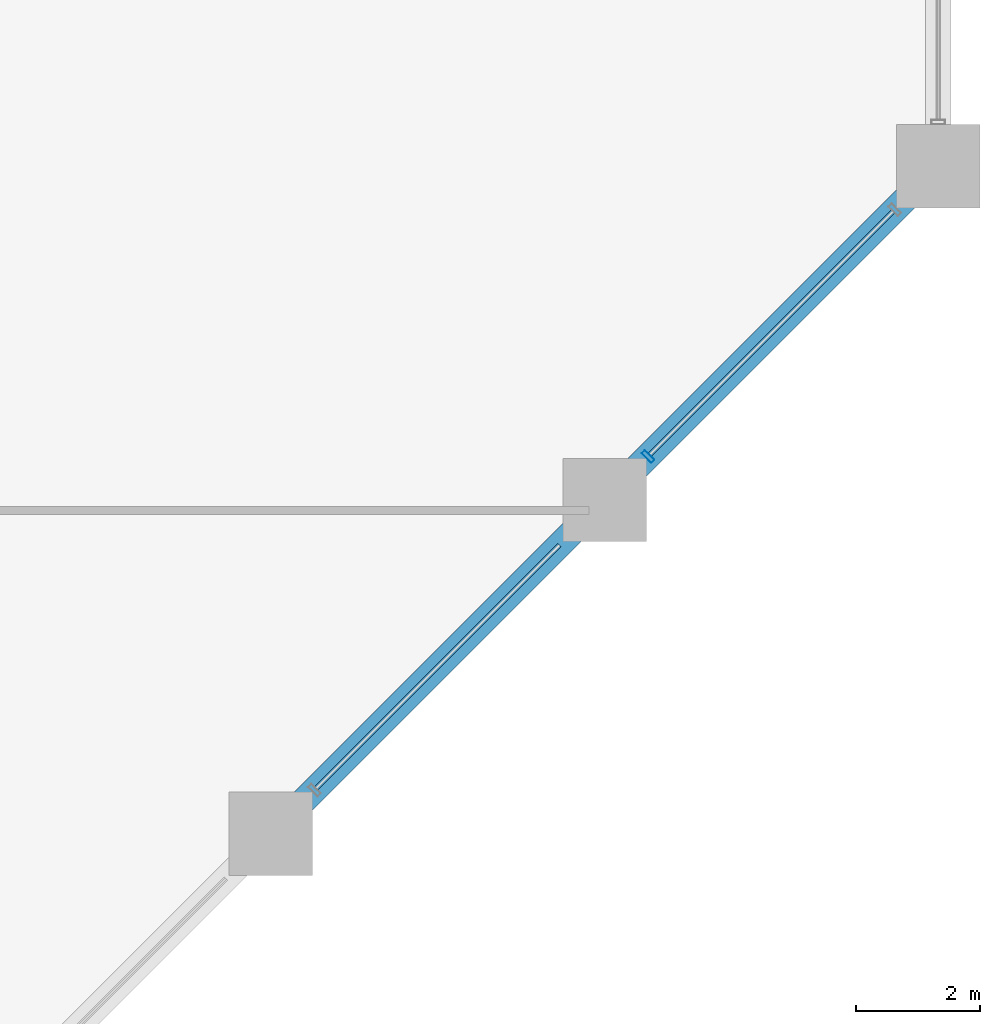
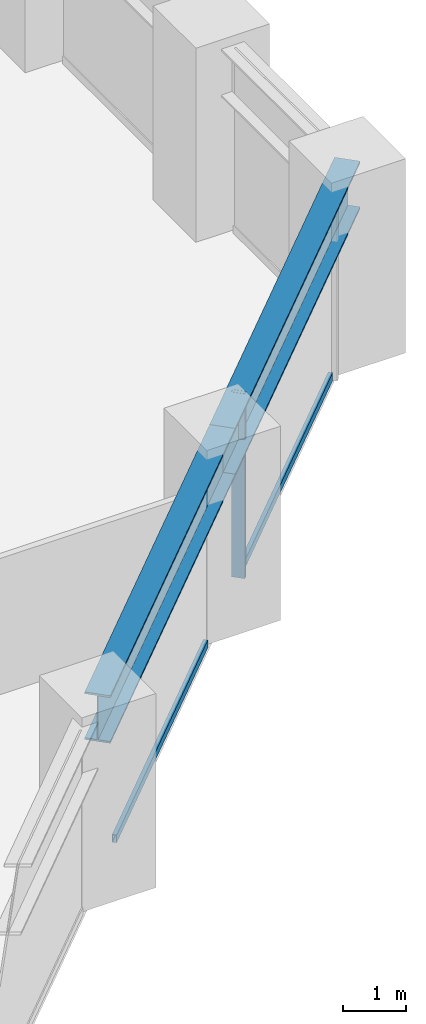
# One storey, part 9 of 25: 3 members, 2 beams, 1 element without a shape of its own.
"""IFC4 building model written with IfcOpenShell, lengths in metres."""

import ifcopenshell
import ifcopenshell.guid

model = None  # the IFC model being written
_history = None  # IfcOwnerHistory: only IFC2X3 demands one
_inside = {}  # id of a spatial element -> (the spatial element, [elements in it])
_under = {}  # id of a project, library or spatial element -> (it, [spatial elements below it])
_declared = {}  # id of a project -> (the project, [libraries it declares])
_typed = {}  # id of a type object -> (the type object, [elements of that type])
_made_of = {}  # id of a material, layer set ... -> (it, [elements and type objects made of it])


def new_model(schema):
    """Start an empty IFC model of exactly this schema.

    Asked for "IFC4X3", IfcOpenShell would pick the latest addendum, in which some entities
    have other attributes; the version numbers below select the first issue.
    IFC2X3 requires an IfcOwnerHistory on every rooted entity: one is made here for all.
    """
    global model, _history
    if schema == "IFC4X3":
        model = ifcopenshell.file(schema_version=(4, 3, 0, 0))
    else:
        model = ifcopenshell.file(schema=schema)
    _inside.clear()
    _under.clear()
    _declared.clear()
    _typed.clear()
    _made_of.clear()
    _history = None
    if model.schema == "IFC2X3":
        org = make("IfcOrganization", Name="unknown")
        user = make(
            "IfcPersonAndOrganization",
            ThePerson=make("IfcPerson", FamilyName="unknown"),
            TheOrganization=org,
        )
        app = make(
            "IfcApplication",
            ApplicationDeveloper=org,
            Version="unknown",
            ApplicationFullName="unknown",
            ApplicationIdentifier="unknown",
        )
        _history = make(
            "IfcOwnerHistory",
            OwningUser=user,
            OwningApplication=app,
            ChangeAction="ADDED",
            CreationDate=0,
        )
    return model


def make(cls, **values):
    """One entity of the class cls with the attributes given. An attribute that is None is left unset."""
    return model.create_entity(
        cls, **{name: value for name, value in values.items() if value is not None}
    )


def rooted(cls, **values):
    """An entity with a GlobalId (a new one), such as an element, a storey or a relation."""
    return make(cls, GlobalId=ifcopenshell.guid.new(), OwnerHistory=_history, **values)


def si_unit(unit_type, name, prefix=None):
    """IfcSIUnit, for example si_unit("LENGTHUNIT", "METRE", prefix="MILLI")."""
    return make("IfcSIUnit", UnitType=unit_type, Prefix=prefix, Name=name)


def assignment(units):
    """IfcUnitAssignment: the units of a project."""
    return None if units is None else make("IfcUnitAssignment", Units=units)


def point(xyz):
    """IfcCartesianPoint."""
    return None if xyz is None else make("IfcCartesianPoint", Coordinates=xyz)


def direction(xyz):
    """IfcDirection."""
    return None if xyz is None else make("IfcDirection", DirectionRatios=xyz)


def frame(location, z_axis=None, x_axis=None):
    """IfcAxis2Placement3D, a coordinate frame: its origin and axes. An axis left out is left unset."""
    return make(
        "IfcAxis2Placement3D",
        Location=point(location),
        Axis=direction(z_axis),
        RefDirection=direction(x_axis),
    )


def frame_2d(location, x_axis=None):
    """IfcAxis2Placement2D, a coordinate frame in the plane: its origin and x axis."""
    return make(
        "IfcAxis2Placement2D", Location=point(location), RefDirection=direction(x_axis)
    )


def origin():
    """The frame at (0, 0, 0) with its axes left unset."""
    return frame((0.0, 0.0, 0.0))


def origin_2d():
    """The frame at (0, 0) in the plane with its x axis left unset."""
    return frame_2d((0.0, 0.0))


def place(relative_to, where):
    """IfcLocalPlacement: puts the frame where relative to a parent placement (None: the world)."""
    return make(
        "IfcLocalPlacement", PlacementRelTo=relative_to, RelativePlacement=where
    )


def context(
    kind, dimensions, precision=None, world=None, true_north=None, identifier=None
):
    """IfcGeometricRepresentationContext, for example the 3D "Model" context."""
    return make(
        "IfcGeometricRepresentationContext",
        ContextIdentifier=identifier,
        ContextType=kind,
        CoordinateSpaceDimension=dimensions,
        Precision=precision,
        WorldCoordinateSystem=world,
        TrueNorth=true_north,
    )


def subcontext(parent, identifier, kind, view, scale=None):
    """IfcGeometricRepresentationSubContext, for example "Body" below "Model"."""
    return make(
        "IfcGeometricRepresentationSubContext",
        ContextIdentifier=identifier,
        ContextType=kind,
        ParentContext=parent,
        TargetScale=scale,
        TargetView=view,
    )


def project(units=None, contexts=None):
    """IfcProject with its units and contexts."""
    return rooted(
        "IfcProject",
        Name="project",
        RepresentationContexts=contexts,
        UnitsInContext=assignment(units),
    )


def spatial(cls, under=None, at=None, **own):
    """A site, building, storey or space (cls), placed at a placement, below another one or the project."""
    s = rooted(cls, ObjectPlacement=at, **own)
    if under is not None:
        _under.setdefault(under.id(), (under, []))[1].append(s)
    return s


def profile(cls, at=None, kind="AREA", **sizes):
    """A parametric profile (cls). Its sizes go by their IFC names, for example OverallWidth=200.0."""
    return make(cls, ProfileType=kind, Position=at, **sizes)


def hollow_rectangle(**sizes):
    """IfcRectangleHollowProfileDef."""
    return profile("IfcRectangleHollowProfileDef", **sizes)


def i_section(**sizes):
    """IfcIShapeProfileDef."""
    return profile("IfcIShapeProfileDef", **sizes)


def extrude(swept, where, along, depth):
    """IfcExtrudedAreaSolid: the profile swept, set in the frame where, extruded along a direction by depth."""
    return make(
        "IfcExtrudedAreaSolid",
        SweptArea=swept,
        Position=where,
        ExtrudedDirection=direction(along),
        Depth=depth,
    )


def shape(context_of_items, identifier, shape_type, items):
    """IfcShapeRepresentation: the items that make up one representation, for example the "Body"."""
    return make(
        "IfcShapeRepresentation",
        ContextOfItems=context_of_items,
        RepresentationIdentifier=identifier,
        RepresentationType=shape_type,
        Items=items,
    )


def material(Name=None, Category=None):
    """IfcMaterial."""
    return make("IfcMaterial", Name=Name, Category=Category)


def layer(
    of_material, thickness, ventilated=None, Name=None, Category=None, Priority=None
):
    """IfcMaterialLayer: one layer of a wall or slab, of a material (None: an air gap)."""
    return make(
        "IfcMaterialLayer",
        Material=of_material,
        LayerThickness=thickness,
        IsVentilated=ventilated,
        Name=Name,
        Category=Category,
        Priority=Priority,
    )


def layer_set(layers, Name=None):
    """IfcMaterialLayerSet."""
    return make("IfcMaterialLayerSet", MaterialLayers=layers, LayerSetName=Name)


def material_profile(
    of_material, cross_section, Name=None, Category=None, Priority=None
):
    """IfcMaterialProfile: a cross section and its material."""
    return make(
        "IfcMaterialProfile",
        Name=Name,
        Material=of_material,
        Profile=cross_section,
        Priority=Priority,
        Category=Category,
    )


def profile_set(profiles, Name=None, composite=None):
    """IfcMaterialProfileSet."""
    return make(
        "IfcMaterialProfileSet",
        Name=Name,
        MaterialProfiles=profiles,
        CompositeProfile=composite,
    )


def made_of(thing, what):
    """Note that an element or type object is made of a material, layer set ...; save() writes the relation."""
    if what is not None:
        _made_of.setdefault(what.id(), (what, []))[1].append(thing)
    return thing


def type_object(cls, material=None, **own):
    """A type object (cls), such as IfcWallType, which elements share."""
    return made_of(rooted(cls, **own), material)


def element(
    cls,
    number,
    at=None,
    inside=None,
    cuts=None,
    type_object=None,
    material=None,
    context=None,
    identifier="Body",
    shape_type=None,
    held_by="IfcProductDefinitionShape",
    body=None,
    shapes=None,
    **own,
):
    """One element of the class cls, such as IfcWall. Its Tag is "e" and its number.

    at: its placement. inside: the storey or other place that contains it. cuts: it is an
    opening in that element (IfcRelVoidsElement). A single representation is given by context,
    identifier, shape_type and body (its items); several are given by shapes. held_by: the class
    of the entity that holds the representations. save() writes the other relations.
    """
    e = rooted(cls, Tag="e%d" % number, ObjectPlacement=at, **own)
    if body is not None:
        shapes = [shape(context, identifier, shape_type, body)]
    if shapes is not None:
        e.Representation = make(held_by, Representations=shapes)
    if inside is not None:
        _inside.setdefault(inside.id(), (inside, []))[1].append(e)
    if cuts is not None:
        rooted(
            "IfcRelVoidsElement", RelatingBuildingElement=cuts, RelatedOpeningElement=e
        )
    if type_object is not None:
        _typed.setdefault(type_object.id(), (type_object, []))[1].append(e)
    return made_of(e, material)


def aggregate(whole, parts):
    """IfcRelAggregates: a whole, such as a stair, and the parts it consists of."""
    return rooted("IfcRelAggregates", RelatingObject=whole, RelatedObjects=parts)


def save(model, path):
    """Write the relations noted so far, then the file.

    IfcRelAggregates (storeys below a building ...), IfcRelContainedInSpatialStructure (elements
    in a storey), IfcRelDefinesByType, IfcRelAssociatesMaterial and IfcRelDeclares: one each for
    every whole, place, type object, material and project.
    """
    for whole, parts in _under.values():
        aggregate(whole, parts)
    for where, things in _inside.values():
        rooted(
            "IfcRelContainedInSpatialStructure",
            RelatedElements=things,
            RelatingStructure=where,
        )
    for kind, things in _typed.values():
        rooted("IfcRelDefinesByType", RelatedObjects=things, RelatingType=kind)
    for what, things in _made_of.values():
        rooted("IfcRelAssociatesMaterial", RelatedObjects=things, RelatingMaterial=what)
    for by, libraries in _declared.values():
        rooted("IfcRelDeclares", RelatingContext=by, RelatedDefinitions=libraries)
    model.write(path)


model = new_model("IFC4")

# Units and contexts
model_context = context("Model", 3, precision=1e-05, world=origin(), true_north=direction((0.0, 1.0)))
body_context = subcontext(model_context, "Body", "Model", "MODEL_VIEW")
ifc_project = project(units=[si_unit("LENGTHUNIT", "METRE"), si_unit("AREAUNIT", "SQUARE_METRE"), si_unit("VOLUMEUNIT", "CUBIC_METRE"), si_unit("PLANEANGLEUNIT", "RADIAN"), si_unit("MASSUNIT", "GRAM", prefix="KILO")], contexts=[model_context])

# Site, building, storey
site_placement = place(None, origin())
site = spatial("IfcSite", under=ifc_project, at=site_placement, CompositionType="ELEMENT")
building_placement = place(site_placement, origin())
building = spatial("IfcBuilding", under=site, at=building_placement, Name="Surkhivell Harbour Commons", CompositionType="ELEMENT")
storey_placement = place(building_placement, frame((0.0, 0.0, 37.5)))
storey = spatial("IfcBuildingStorey", under=building, at=storey_placement, Name="L09", CompositionType="ELEMENT", Elevation=37.5)

# Beams
ifc_material_1 = material(Name="Steel S460", Category="steel")
ifc_material_profile_1 = material_profile(ifc_material_1, i_section(OverallWidth=0.419921875, OverallDepth=0.9208984375, WebThickness=0.021484375, FlangeThickness=0.03662109375, at=origin_2d()), Name="UB914x419x388")
ifc_profile_set_1 = profile_set([ifc_material_profile_1], Name="Steel S460")
beam_type = type_object("IfcBeamType", Name="BM-SPN-914A", PredefinedType="SPANDREL", material=ifc_profile_set_1)
for number, where, z_axis, x_axis, name in (
    (1, (21.60009765625, -4.300048828125, 3.109619140625), (0.707090796496, 0.707122765516, 0.0), (-0.707122765516, 0.707090796496, 0.0), "L09 Tube Spandrel (21.6,-4.3)"),
    (2, (27.0, 1.10009765625, 3.109619140625), (0.707106781187, 0.707106781187, 0.0), (-0.707106781187, 0.707106781187, 0.0), "L09 Tube Spandrel (27.0,1.1)"),
):
    element("IfcBeam", number, at=place(storey_placement, frame(where, z_axis=z_axis, x_axis=x_axis)), inside=storey, type_object=beam_type, Name=name, PredefinedType="SPANDREL", context=body_context, shape_type="SweptSolid", body=[
        extrude(i_section(OverallWidth=0.419921875, OverallDepth=0.9208984375, WebThickness=0.021484375, FlangeThickness=0.03662109375, at=origin_2d()), origin(), (0.0, 0.0, 1.0), 7.63671875),
    ])

# Curtain wall, members
ifc_material_2 = material(Name="Anodised pale-metal aluminium and insulated glazing", Category="aluminium")
ifc_layer = layer(ifc_material_2, 0.219970703125)
ifc_layer_set = layer_set([ifc_layer], Name="Anodised pale-metal aluminium and insulated glazing")
curtain_wall_type = type_object("IfcCurtainWallType", Name="CW-SYS-Z1", PredefinedType="NOTDEFINED", material=ifc_layer_set)
curtain_wall_placement = place(storey_placement, origin())
curtain_wall = element("IfcCurtainWall", 3, at=curtain_wall_placement, inside=storey, type_object=curtain_wall_type, Name="L09 Curtain Wall CW-L09-E01", PredefinedType="NOTDEFINED")
ifc_material_3 = material(Name="Anodised pale-metal aluminium alloy 6063-T6", Category="aluminium")
ifc_material_profile_2 = material_profile(ifc_material_3, hollow_rectangle(XDim=0.074951171875, YDim=0.219970703125, WallThickness=0.00390625, at=origin_2d()), Name="ALU-MULL-75x220")
ifc_profile_set_2 = profile_set([ifc_material_profile_2], Name="Anodised pale-metal aluminium alloy 6063-T6")
member_type_1 = type_object("IfcMemberType", Name="CWM-220", PredefinedType="MULLION", material=ifc_profile_set_2)
member_1_placement = place(storey_placement, frame((27.703369140625, 1.80322265625, 0.0), z_axis=(0.0, 0.0, 1.0), x_axis=(0.707106781187, 0.707106781187, 0.0)))
member_1 = element("IfcMember", 4, at=member_1_placement, type_object=member_type_1, Name="CW-Z1 mullion 6", PredefinedType="MULLION", context=body_context, shape_type="SweptSolid", body=[
    extrude(hollow_rectangle(XDim=0.074951171875, YDim=0.219970703125, WallThickness=0.00390625, at=origin_2d()), origin(), (0.0, 0.0, 1.0), 3.570068359375),
])
ifc_material_profile_3 = material_profile(ifc_material_3, hollow_rectangle(XDim=0.074951171875, YDim=0.14990234375, WallThickness=0.00341796875, at=origin_2d()), Name="ALU-TRAN-75x150")
ifc_profile_set_3 = profile_set([ifc_material_profile_3], Name="Anodised pale-metal aluminium alloy 6063-T6")
member_type_2 = type_object("IfcMemberType", Name="CWT-150", PredefinedType="USERDEFINED", material=ifc_profile_set_3)
member_2_placement = place(storey_placement, frame((22.329833984375, -3.570068359375, 0.074951171875), z_axis=(0.70712868694, 0.707084874754, 0.0), x_axis=(-0.707084874754, 0.70712868694, 0.0)))
member_2 = element("IfcMember", 5, at=member_2_placement, type_object=member_type_2, Name="CW-Z1 transom 5.1", ObjectType="TRANSOM", PredefinedType="USERDEFINED", context=body_context, shape_type="SweptSolid", body=[
    extrude(hollow_rectangle(XDim=0.074951171875, YDim=0.14990234375, WallThickness=0.00341796875, at=origin_2d()), origin(), (0.0, 0.0, 1.0), 5.572509765625),
])
member_3_placement = place(storey_placement, frame((27.729736328125, 1.829833984375, 0.074951171875), z_axis=(0.707106781187, 0.707106781187, 0.0), x_axis=(-0.707106781187, 0.707106781187, 0.0)))
member_3 = element("IfcMember", 6, at=member_3_placement, type_object=member_type_2, Name="CW-Z1 transom 6.1", ObjectType="TRANSOM", PredefinedType="USERDEFINED", context=body_context, shape_type="SweptSolid", body=[
    extrude(hollow_rectangle(XDim=0.074951171875, YDim=0.14990234375, WallThickness=0.00341796875, at=origin_2d()), origin(), (0.0, 0.0, 1.0), 5.572509765625),
])
aggregate(curtain_wall, [member_2, member_1, member_3])

save(model, "model.ifc")
